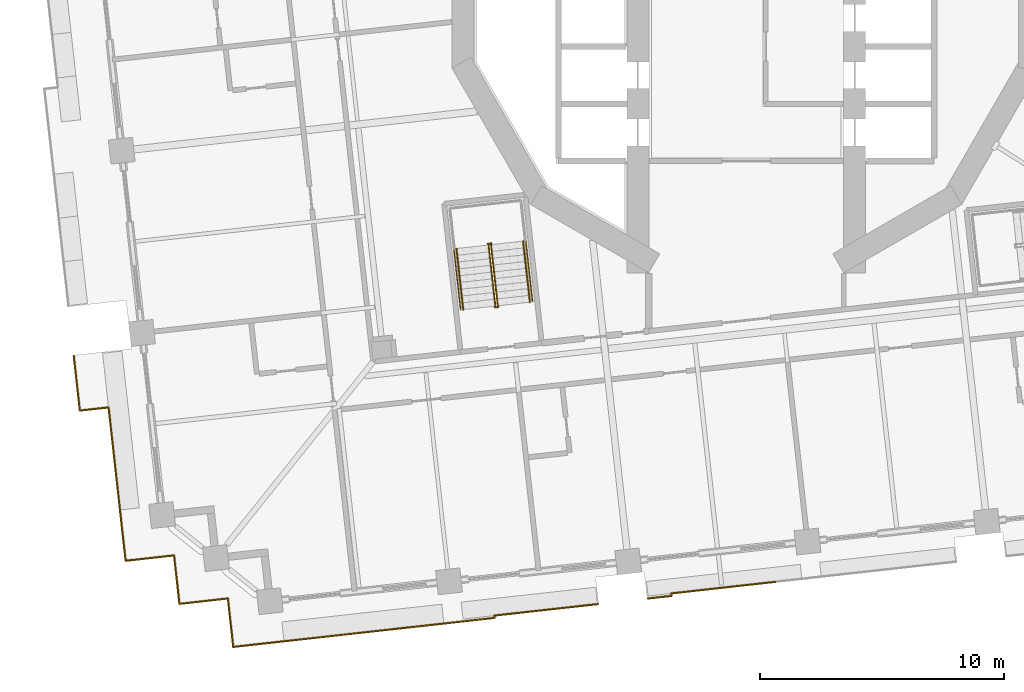
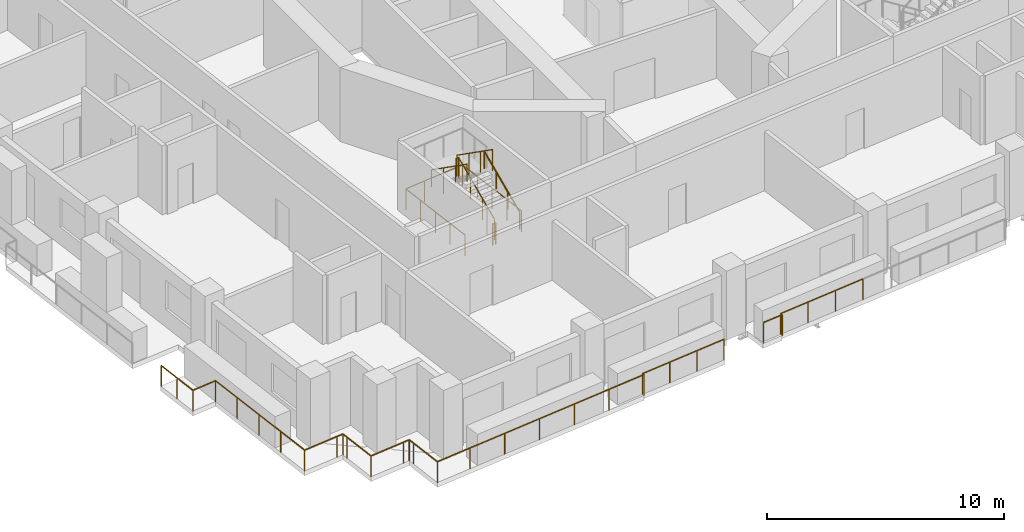
# One storey, part 15 of 21: 9 railings.
"""IFC4 building model written with IfcOpenShell, lengths in metres."""

from ifc_helpers import new_model, si_unit, direction, frame, origin, origin_2d, place, context, subcontext, project, spatial, circle, extrude, material, type_object, element, save


model = new_model("IFC4")

# Units and contexts
model_context = context("Model", 3, precision=1e-05, world=origin(), true_north=direction((0.0, 1.0)))
body_context = subcontext(model_context, "Body", "Model", "MODEL_VIEW")
ifc_project = project(units=[si_unit("LENGTHUNIT", "METRE"), si_unit("AREAUNIT", "SQUARE_METRE"), si_unit("VOLUMEUNIT", "CUBIC_METRE"), si_unit("PLANEANGLEUNIT", "RADIAN"), si_unit("MASSUNIT", "GRAM", prefix="KILO")], contexts=[model_context])

# Site, building, storey
site_placement = place(None, origin())
site = spatial("IfcSite", under=ifc_project, at=site_placement, CompositionType="ELEMENT")
building_placement = place(site_placement, origin())
building = spatial("IfcBuilding", under=site, at=building_placement, Name="Cantera Rosa Tower", CompositionType="ELEMENT")
storey_placement = place(building_placement, frame((0.0, 0.0, 57.699951171875)))
storey = spatial("IfcBuildingStorey", under=building, at=storey_placement, Name="L11", CompositionType="ELEMENT", Elevation=57.699951171875)

# Railings
ifc_material_1 = material(Name="Stainless steel and laminated glass", Category="steel")
railing_type_1 = type_object("IfcRailingType", Name="GUARD 1100", PredefinedType="BALUSTRADE", material=ifc_material_1)
railing_1_placement = place(storey_placement, frame((-25.46826171875, -23.45263671875, 0.0)))
element("IfcRailing", 1, at=railing_1_placement, inside=storey, type_object=railing_type_1, Name="GUARD L11-1", PredefinedType="BALUSTRADE", context=body_context, shape_type="SweptSolid", body=[
    extrude(circle(Radius=0.030029296875, at=origin_2d()), frame((0.0, 0.0, 1.070068359375), z_axis=(-0.110289669906, 0.993899486222, 0.0), x_axis=(-0.993899486222, -0.110289669906, 0.0)), (0.0, 0.0, 1.0), 1.699951171875),
    extrude(circle(Radius=0.030029296875, at=origin_2d()), frame((-0.1875, 1.689697265625, 1.070068359375), z_axis=(-0.110310048323, 0.993897224686, 0.0), x_axis=(-0.993897224686, -0.110310048323, 0.0)), (0.0, 0.0, 1.0), 4.63232421875),
    extrude(circle(Radius=0.030029296875, at=origin_2d()), frame((-0.698486328125, 6.293701171875, 1.070068359375), z_axis=(-0.993911279604, -0.110183339373, 0.0), x_axis=(0.110183339373, -0.993911279604, 0.0)), (0.0, 0.0, 1.0), 1.187744140625),
    extrude(circle(Radius=0.030029296875, at=origin_2d()), frame((-1.87890625, 6.162841796875, 1.070068359375), z_axis=(-0.110312824257, 0.993896916589, 0.0), x_axis=(-0.993896916589, -0.110312824257, 0.0)), (0.0, 0.0, 1.0), 2.25732421875),
    extrude(circle(Radius=0.02490234375, at=origin_2d()), origin(), (0.0, 0.0, 1.0), 1.0400390625),
    extrude(circle(Radius=0.02490234375, at=origin_2d()), frame((-0.1875, 1.689697265625, 0.0)), (0.0, 0.0, 1.0), 1.0400390625),
    extrude(circle(Radius=0.02490234375, at=origin_2d()), frame((-0.35791015625, 3.224365234375, 0.0)), (0.0, 0.0, 1.0), 1.0400390625),
    extrude(circle(Radius=0.02490234375, at=origin_2d()), frame((-0.528076171875, 4.759033203125, 0.0)), (0.0, 0.0, 1.0), 1.0400390625),
    extrude(circle(Radius=0.02490234375, at=origin_2d()), frame((-0.698486328125, 6.293701171875, 0.0)), (0.0, 0.0, 1.0), 1.0400390625),
    extrude(circle(Radius=0.02490234375, at=origin_2d()), frame((-1.87890625, 6.162841796875, 0.0)), (0.0, 0.0, 1.0), 1.0400390625),
    extrude(circle(Radius=0.02490234375, at=origin_2d()), frame((-2.00341796875, 7.28466796875, 0.0)), (0.0, 0.0, 1.0), 1.0400390625),
    extrude(circle(Radius=0.02490234375, at=origin_2d()), frame((-2.1279296875, 8.406494140625, 0.0)), (0.0, 0.0, 1.0), 1.0400390625),
])
railing_2_placement = place(storey_placement, frame((-6.083984375, -25.22900390625, 0.0)))
element("IfcRailing", 2, at=railing_2_placement, inside=storey, type_object=railing_type_1, Name="GUARD L11-2", PredefinedType="BALUSTRADE", context=body_context, shape_type="SweptSolid", body=[
    extrude(circle(Radius=0.030029296875, at=origin_2d()), frame((0.0, 0.0, 1.070068359375), z_axis=(-0.993899065121, -0.110293464685, 0.0), x_axis=(0.110293464685, -0.993899065121, 0.0)), (0.0, 0.0, 1.0), 4.27001953125),
    extrude(circle(Radius=0.030029296875, at=origin_2d()), frame((-4.243896484375, -0.470947265625, 1.070068359375), z_axis=(0.109039814969, -0.994037382975, 0.0), x_axis=(0.994037382975, 0.109039814969, 0.0)), (0.0, 0.0, 1.0), 0.09619140625),
    extrude(circle(Radius=0.030029296875, at=origin_2d()), frame((-4.2333984375, -0.566650390625, 1.070068359375), z_axis=(-0.993899102511, -0.110293127745, 0.0), x_axis=(0.110293127745, -0.993899102511, 0.0)), (0.0, 0.0, 1.0), 9.099853515625),
    extrude(circle(Radius=0.030029296875, at=origin_2d()), frame((-13.27783203125, -1.5703125, 1.070068359375), z_axis=(-0.993883734674, -0.110431526075, 0.0), x_axis=(0.110431526075, -0.993883734674, 0.0)), (0.0, 0.0, 1.0), 1.7001953125),
    extrude(circle(Radius=0.030029296875, at=origin_2d()), frame((-14.967529296875, -1.758056640625, 1.070068359375), z_axis=(-0.110289669906, 0.993899486222, 0.0), x_axis=(-0.993899486222, -0.110289669906, 0.0)), (0.0, 0.0, 1.0), 1.699951171875),
    extrude(circle(Radius=0.030029296875, at=origin_2d()), frame((-15.155029296875, -0.068359375, 1.070068359375), z_axis=(-0.110699535641, 0.99385391925, 0.0), x_axis=(-0.99385391925, -0.110699535641, 0.0)), (0.0, 0.0, 1.0), 0.300048828125),
    extrude(circle(Radius=0.030029296875, at=origin_2d()), frame((-15.188232421875, 0.229736328125, 1.070068359375), z_axis=(-0.993943154022, -0.10989543472, 0.0), x_axis=(0.10989543472, -0.993943154022, 0.0)), (0.0, 0.0, 1.0), 0.2998046875),
    extrude(circle(Radius=0.030029296875, at=origin_2d()), frame((-15.486328125, 0.19677734375, 1.070068359375), z_axis=(-0.993899486222, -0.110289669906, 0.0), x_axis=(0.110289669906, -0.993899486222, 0.0)), (0.0, 0.0, 1.0), 1.699951171875),
    extrude(circle(Radius=0.030029296875, at=origin_2d()), frame((-17.176025390625, 0.00927734375, 1.070068359375), z_axis=(-0.110305413813, 0.993897739047, 0.0), x_axis=(-0.993897739047, -0.110305413813, 0.0)), (0.0, 0.0, 1.0), 1.69970703125),
    extrude(circle(Radius=0.030029296875, at=origin_2d()), frame((-17.363525390625, 1.69873046875, 1.070068359375), z_axis=(-0.1098065887, 0.993952973273, 0.0), x_axis=(-0.993952973273, -0.1098065887, 0.0)), (0.0, 0.0, 1.0), 0.300048828125),
    extrude(circle(Radius=0.030029296875, at=origin_2d()), frame((-17.396484375, 1.9970703125, 1.070068359375), z_axis=(-0.993863881828, -0.110610055588, 0.0), x_axis=(0.110610055588, -0.993863881828, 0.0)), (0.0, 0.0, 1.0), 0.30029296875),
    extrude(circle(Radius=0.030029296875, at=origin_2d()), frame((-17.69482421875, 1.9638671875, 1.070068359375), z_axis=(-0.993897739047, -0.110305413813, 0.0), x_axis=(0.110305413813, -0.993897739047, 0.0)), (0.0, 0.0, 1.0), 1.69970703125),
    extrude(circle(Radius=0.02490234375, at=origin_2d()), origin(), (0.0, 0.0, 1.0), 1.0400390625),
    extrude(circle(Radius=0.02490234375, at=origin_2d()), frame((-1.41455078125, -0.156982421875, 0.0)), (0.0, 0.0, 1.0), 1.0400390625),
    extrude(circle(Radius=0.02490234375, at=origin_2d()), frame((-2.829345703125, -0.31396484375, 0.0)), (0.0, 0.0, 1.0), 1.0400390625),
    extrude(circle(Radius=0.02490234375, at=origin_2d()), frame((-4.243896484375, -0.470947265625, 0.0)), (0.0, 0.0, 1.0), 1.0400390625),
    extrude(circle(Radius=0.02490234375, at=origin_2d()), frame((-4.2333984375, -0.566650390625, 0.0)), (0.0, 0.0, 1.0), 1.0400390625),
    extrude(circle(Radius=0.02490234375, at=origin_2d()), frame((-6.042236328125, -0.767333984375, 0.0)), (0.0, 0.0, 1.0), 1.0400390625),
    extrude(circle(Radius=0.02490234375, at=origin_2d()), frame((-7.85107421875, -0.968017578125, 0.0)), (0.0, 0.0, 1.0), 1.0400390625),
    extrude(circle(Radius=0.02490234375, at=origin_2d()), frame((-9.66015625, -1.1689453125, 0.0)), (0.0, 0.0, 1.0), 1.0400390625),
    extrude(circle(Radius=0.02490234375, at=origin_2d()), frame((-11.468994140625, -1.36962890625, 0.0)), (0.0, 0.0, 1.0), 1.0400390625),
    extrude(circle(Radius=0.02490234375, at=origin_2d()), frame((-13.27783203125, -1.5703125, 0.0)), (0.0, 0.0, 1.0), 1.0400390625),
    extrude(circle(Radius=0.02490234375, at=origin_2d()), frame((-14.967529296875, -1.758056640625, 0.0)), (0.0, 0.0, 1.0), 1.0400390625),
    extrude(circle(Radius=0.02490234375, at=origin_2d()), frame((-15.155029296875, -0.068359375, 0.0)), (0.0, 0.0, 1.0), 1.0400390625),
    extrude(circle(Radius=0.02490234375, at=origin_2d()), frame((-15.188232421875, 0.229736328125, 0.0)), (0.0, 0.0, 1.0), 1.0400390625),
    extrude(circle(Radius=0.02490234375, at=origin_2d()), frame((-15.486328125, 0.19677734375, 0.0)), (0.0, 0.0, 1.0), 1.0400390625),
    extrude(circle(Radius=0.02490234375, at=origin_2d()), frame((-17.176025390625, 0.00927734375, 0.0)), (0.0, 0.0, 1.0), 1.0400390625),
    extrude(circle(Radius=0.02490234375, at=origin_2d()), frame((-17.363525390625, 1.69873046875, 0.0)), (0.0, 0.0, 1.0), 1.0400390625),
    extrude(circle(Radius=0.02490234375, at=origin_2d()), frame((-17.396484375, 1.9970703125, 0.0)), (0.0, 0.0, 1.0), 1.0400390625),
    extrude(circle(Radius=0.02490234375, at=origin_2d()), frame((-17.69482421875, 1.9638671875, 0.0)), (0.0, 0.0, 1.0), 1.0400390625),
    extrude(circle(Radius=0.02490234375, at=origin_2d()), frame((-19.38427734375, 1.7763671875, 0.0)), (0.0, 0.0, 1.0), 1.0400390625),
])
railing_3_placement = place(storey_placement, frame((1.189697265625, -24.317138671875, 0.0)))
element("IfcRailing", 3, at=railing_3_placement, inside=storey, type_object=railing_type_1, Name="GUARD L11-8", PredefinedType="BALUSTRADE", context=body_context, shape_type="SweptSolid", body=[
    extrude(circle(Radius=0.030029296875, at=origin_2d()), frame((0.0, 0.0, 1.070068359375), z_axis=(-0.993897587788, -0.110306776711, 0.0), x_axis=(0.110306776711, -0.993897587788, 0.0)), (0.0, 0.0, 1.0), 4.2958984375),
    extrude(circle(Radius=0.030029296875, at=origin_2d()), frame((-4.269775390625, -0.473876953125, 1.070068359375), z_axis=(0.110431526075, -0.993883734674, 0.0), x_axis=(0.993883734674, 0.110431526075, 0.0)), (0.0, 0.0, 1.0), 0.10400390625),
    extrude(circle(Radius=0.030029296875, at=origin_2d()), frame((-4.25830078125, -0.5771484375, 1.070068359375), z_axis=(-0.993899009794, -0.110293963256, 0.0), x_axis=(0.110293963256, -0.993899009794, 0.0)), (0.0, 0.0, 1.0), 0.973876953125),
    extrude(circle(Radius=0.02490234375, at=origin_2d()), origin(), (0.0, 0.0, 1.0), 1.0400390625),
    extrude(circle(Radius=0.02490234375, at=origin_2d()), frame((-1.42333984375, -0.157958984375, 0.0)), (0.0, 0.0, 1.0), 1.0400390625),
    extrude(circle(Radius=0.02490234375, at=origin_2d()), frame((-2.846435546875, -0.31591796875, 0.0)), (0.0, 0.0, 1.0), 1.0400390625),
    extrude(circle(Radius=0.02490234375, at=origin_2d()), frame((-4.269775390625, -0.473876953125, 0.0)), (0.0, 0.0, 1.0), 1.0400390625),
    extrude(circle(Radius=0.02490234375, at=origin_2d()), frame((-4.25830078125, -0.5771484375, 0.0)), (0.0, 0.0, 1.0), 1.0400390625),
    extrude(circle(Radius=0.02490234375, at=origin_2d()), frame((-5.226318359375, -0.6845703125, 0.0)), (0.0, 0.0, 1.0), 1.0400390625),
])
ifc_material_2 = material(Name="Steel S355J2 (EN 10025-2)", Category="steel")
railing_type_2 = type_object("IfcRailingType", Name="STAIR GUARD 1100", PredefinedType="GUARDRAIL", material=ifc_material_2)
railing_4_placement = place(storey_placement, frame((-10.19677734375, -12.986083984375, 0.18994140625)))
element("IfcRailing", 4, at=railing_4_placement, inside=storey, type_object=railing_type_2, Name="L11 ST-13 stair guard 1", PredefinedType="GUARDRAIL", context=body_context, shape_type="SweptSolid", body=[
    extrude(circle(Radius=0.02392578125, at=origin_2d()), frame((0.0, 0.0, 1.076171875), z_axis=(-0.091305890215, 0.822394317572, 0.561543249302), x_axis=(-0.993893182753, -0.110346460196, 0.0)), (0.0, 0.0, 1.0), 3.045654296875),
    extrude(circle(Radius=0.02392578125, at=origin_2d()), frame((-0.278076171875, 2.504638671875, 2.7861328125), z_axis=(0.360141847183, 0.932897555956, 0.0), x_axis=(-0.932897555956, 0.360141847183, 0.0)), (0.0, 0.0, 1.0), 0.05615234375),
    extrude(circle(Radius=0.02392578125, at=origin_2d()), frame((-0.2578125, 2.55712890625, 2.7861328125), z_axis=(-0.994022053584, -0.109179471459, 0.0), x_axis=(0.109179471459, -0.994022053584, 0.0)), (0.0, 0.0, 1.0), 0.14990234375),
    extrude(circle(Radius=0.02099609375, at=origin_2d()), origin(), (0.0, 0.0, 1.0), 1.052001953125),
    extrude(circle(Radius=0.02099609375, at=origin_2d()), frame((-0.0927734375, 0.8349609375, 0.570068359375)), (0.0, 0.0, 1.0), 1.052001953125),
    extrude(circle(Radius=0.02099609375, at=origin_2d()), frame((-0.185302734375, 1.669677734375, 1.14013671875)), (0.0, 0.0, 1.0), 1.052001953125),
    extrude(circle(Radius=0.02099609375, at=origin_2d()), frame((-0.278076171875, 2.504638671875, 1.710205078125)), (0.0, 0.0, 1.0), 1.052001953125),
    extrude(circle(Radius=0.02099609375, at=origin_2d()), frame((-0.2578125, 2.55712890625, 1.710205078125)), (0.0, 0.0, 1.0), 1.052001953125),
    extrude(circle(Radius=0.02099609375, at=origin_2d()), frame((-0.40673828125, 2.540771484375, 1.710205078125)), (0.0, 0.0, 1.0), 1.052001953125),
])
railing_5_placement = place(storey_placement, frame((-10.572265625, -10.4921875, 2.090087890625)))
element("IfcRailing", 5, at=railing_5_placement, inside=storey, type_object=railing_type_2, Name="L11 ST-13 stair guard 2", PredefinedType="GUARDRAIL", context=body_context, shape_type="SweptSolid", body=[
    extrude(circle(Radius=0.02392578125, at=origin_2d()), frame((0.0, 0.0, 1.076171875), z_axis=(0.091310000343, -0.822431337597, 0.561488360321), x_axis=(0.993893182753, 0.110346460196, 0.0)), (0.0, 0.0, 1.0), 3.04541015625),
    extrude(circle(Radius=0.02099609375, at=origin_2d()), origin(), (0.0, 0.0, 1.0), 1.052001953125),
    extrude(circle(Radius=0.02099609375, at=origin_2d()), frame((0.0927734375, -0.8349609375, 0.570068359375)), (0.0, 0.0, 1.0), 1.052001953125),
    extrude(circle(Radius=0.02099609375, at=origin_2d()), frame((0.185302734375, -1.669677734375, 1.139892578125)), (0.0, 0.0, 1.0), 1.052001953125),
    extrude(circle(Radius=0.02099609375, at=origin_2d()), frame((0.278076171875, -2.504638671875, 1.7099609375)), (0.0, 0.0, 1.0), 1.052001953125),
])
railing_6_placement = place(storey_placement, frame((-10.16552734375, -13.032958984375, 0.0)))
element("IfcRailing", 6, at=railing_6_placement, inside=storey, type_object=railing_type_2, Name="L11 ST-13 stair guard 3", PredefinedType="GUARDRAIL", context=body_context, shape_type="SweptSolid", body=[
    extrude(circle(Radius=0.02392578125, at=origin_2d()), frame((0.0, 0.0, 1.076171875), z_axis=(-0.994041430915, -0.1090029065, 0.0), x_axis=(0.1090029065, -0.994041430915, 0.0)), (0.0, 0.0, 1.0), 0.150146484375),
    extrude(circle(Radius=0.02099609375, at=origin_2d()), origin(), (0.0, 0.0, 1.0), 1.052001953125),
    extrude(circle(Radius=0.02099609375, at=origin_2d()), frame((-0.149169921875, -0.016357421875, 0.0)), (0.0, 0.0, 1.0), 1.052001953125),
])
railing_7_placement = place(storey_placement, frame((-8.77099609375, -12.815673828125, 0.0)))
element("IfcRailing", 7, at=railing_7_placement, inside=storey, type_object=railing_type_2, Name="L11 ST-13 stair guard 4", PredefinedType="GUARDRAIL", context=body_context, shape_type="SweptSolid", body=[
    extrude(circle(Radius=0.02392578125, at=origin_2d()), frame((0.0, 0.0, 1.076171875), z_axis=(-0.110323013767, 0.9938957856, 0.0), x_axis=(-0.9938957856, -0.110323013767, 0.0)), (0.0, 0.0, 1.0), 4.197998046875),
    extrude(circle(Radius=0.02392578125, at=origin_2d()), frame((-0.463134765625, 4.17236328125, 1.076171875), z_axis=(-0.993896759678, -0.110314237986, 0.0), x_axis=(0.110314237986, -0.993896759678, 0.0)), (0.0, 0.0, 1.0), 2.969970703125),
    extrude(circle(Radius=0.02392578125, at=origin_2d()), frame((-3.4150390625, 3.8447265625, 1.076171875), z_axis=(0.110323013767, -0.9938957856, 0.0), x_axis=(0.9938957856, 0.110323013767, 0.0)), (0.0, 0.0, 1.0), 4.197998046875),
    extrude(circle(Radius=0.02099609375, at=origin_2d()), origin(), (0.0, 0.0, 1.0), 1.052001953125),
    extrude(circle(Radius=0.02099609375, at=origin_2d()), frame((-0.11572265625, 1.04296875, 0.0)), (0.0, 0.0, 1.0), 1.052001953125),
    extrude(circle(Radius=0.02099609375, at=origin_2d()), frame((-0.2314453125, 2.086181640625, 0.0)), (0.0, 0.0, 1.0), 1.052001953125),
    extrude(circle(Radius=0.02099609375, at=origin_2d()), frame((-0.347412109375, 3.12939453125, 0.0)), (0.0, 0.0, 1.0), 1.052001953125),
    extrude(circle(Radius=0.02099609375, at=origin_2d()), frame((-0.463134765625, 4.17236328125, 0.0)), (0.0, 0.0, 1.0), 1.052001953125),
    extrude(circle(Radius=0.02099609375, at=origin_2d()), frame((-1.447021484375, 4.063232421875, 0.0)), (0.0, 0.0, 1.0), 1.052001953125),
    extrude(circle(Radius=0.02099609375, at=origin_2d()), frame((-2.43115234375, 3.953857421875, 0.0)), (0.0, 0.0, 1.0), 1.052001953125),
    extrude(circle(Radius=0.02099609375, at=origin_2d()), frame((-3.4150390625, 3.8447265625, 0.0)), (0.0, 0.0, 1.0), 1.052001953125),
    extrude(circle(Radius=0.02099609375, at=origin_2d()), frame((-3.29931640625, 2.8017578125, 0.0)), (0.0, 0.0, 1.0), 1.052001953125),
    extrude(circle(Radius=0.02099609375, at=origin_2d()), frame((-3.18359375, 1.758544921875, 0.0)), (0.0, 0.0, 1.0), 1.052001953125),
    extrude(circle(Radius=0.02099609375, at=origin_2d()), frame((-3.067626953125, 0.71533203125, 0.0)), (0.0, 0.0, 1.0), 1.052001953125),
    extrude(circle(Radius=0.02099609375, at=origin_2d()), frame((-2.951904296875, -0.32763671875, 0.0)), (0.0, 0.0, 1.0), 1.052001953125),
])
ifc_material_3 = material(Name="Steel S355J2 (EN 10025-2)", Category="steel")
railing_type_3 = type_object("IfcRailingType", Name="STAIR HANDRAIL 900", PredefinedType="HANDRAIL", material=ifc_material_3)
railing_8_placement = place(storey_placement, frame((-8.87890625, -12.83984375, 0.18994140625)))
element("IfcRailing", 8, at=railing_8_placement, inside=storey, type_object=railing_type_3, Name="L11 ST-13 stair handrail 1", PredefinedType="HANDRAIL", context=body_context, shape_type="SweptSolid", body=[
    extrude(circle(Radius=0.02392578125, at=origin_2d()), frame((0.0, 0.0, 0.8759765625), z_axis=(-0.091305890215, 0.822394317572, 0.561543249302), x_axis=(-0.993893182753, -0.110346460196, 0.0)), (0.0, 0.0, 1.0), 3.045654296875),
    extrude(circle(Radius=0.02099609375, at=origin_2d()), origin(), (0.0, 0.0, 1.0), 0.851806640625),
    extrude(circle(Radius=0.02099609375, at=origin_2d()), frame((-0.0927734375, 0.8349609375, 0.570068359375)), (0.0, 0.0, 1.0), 0.851806640625),
    extrude(circle(Radius=0.02099609375, at=origin_2d()), frame((-0.185302734375, 1.669677734375, 1.14013671875)), (0.0, 0.0, 1.0), 0.851806640625),
    extrude(circle(Radius=0.02099609375, at=origin_2d()), frame((-0.278076171875, 2.504638671875, 1.710205078125)), (0.0, 0.0, 1.0), 0.851806640625),
])
railing_9_placement = place(storey_placement, frame((-11.89013671875, -10.638427734375, 2.090087890625)))
element("IfcRailing", 9, at=railing_9_placement, inside=storey, type_object=railing_type_3, Name="L11 ST-13 stair handrail 2", PredefinedType="HANDRAIL", context=body_context, shape_type="SweptSolid", body=[
    extrude(circle(Radius=0.02392578125, at=origin_2d()), frame((0.0, 0.0, 0.8759765625), z_axis=(0.091310000343, -0.822431337597, 0.561488360321), x_axis=(0.993893182753, 0.110346460196, 0.0)), (0.0, 0.0, 1.0), 3.04541015625),
    extrude(circle(Radius=0.02099609375, at=origin_2d()), origin(), (0.0, 0.0, 1.0), 0.851806640625),
    extrude(circle(Radius=0.02099609375, at=origin_2d()), frame((0.0927734375, -0.8349609375, 0.570068359375)), (0.0, 0.0, 1.0), 0.851806640625),
    extrude(circle(Radius=0.02099609375, at=origin_2d()), frame((0.185302734375, -1.669677734375, 1.139892578125)), (0.0, 0.0, 1.0), 0.851806640625),
    extrude(circle(Radius=0.02099609375, at=origin_2d()), frame((0.278076171875, -2.504638671875, 1.7099609375)), (0.0, 0.0, 1.0), 0.851806640625),
])

save(model, "model.ifc")
